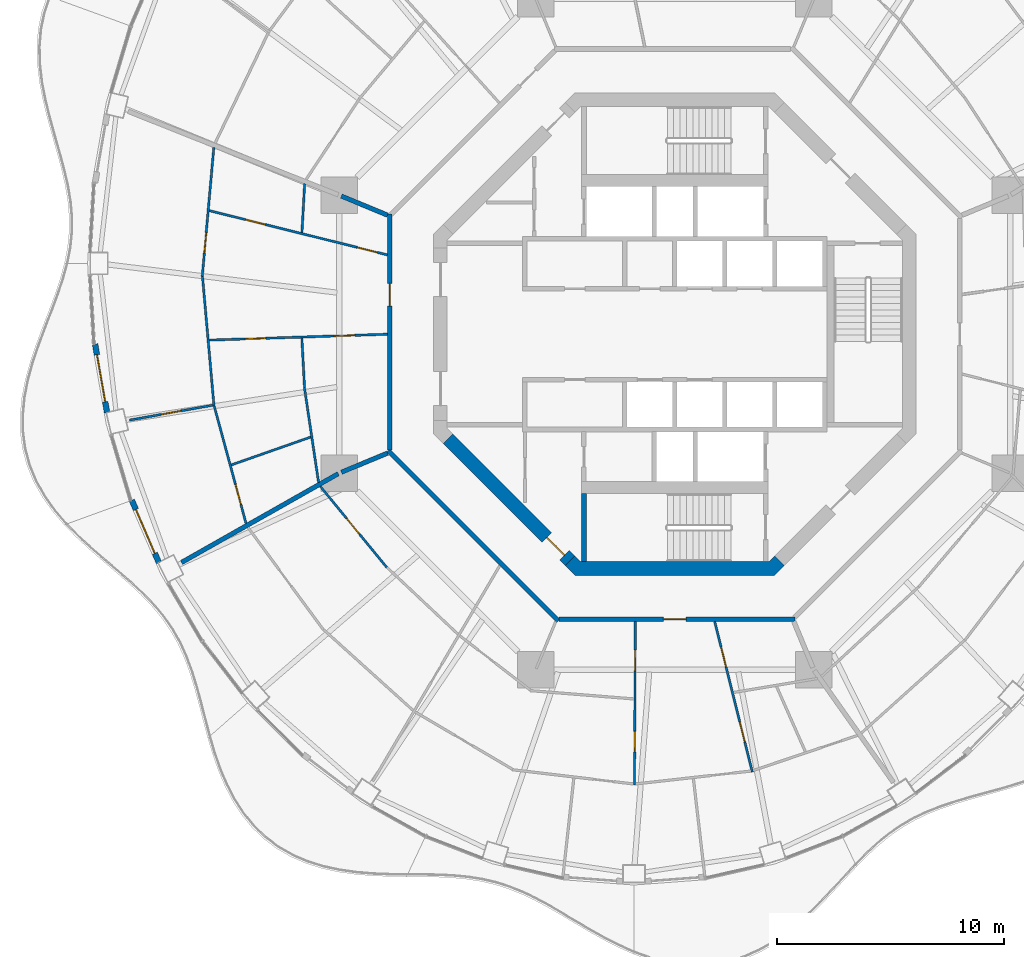
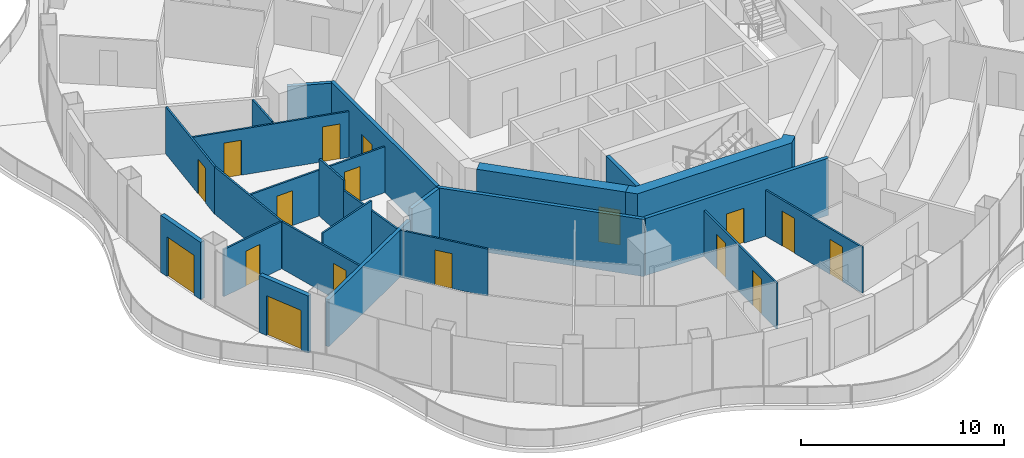
# One storey, part 10 of 18: 24 walls, 17 doors, 17 openings.
"""IFC4 building model written with IfcOpenShell, lengths in metres."""

from ifc_helpers import new_model, si_unit, direction, frame, frame_2d, origin, place, context, subcontext, project, spatial, polyline, rectangle, outline, extrude, material, layer, layer_set, type_object, element, fill, save


model = new_model("IFC4")

# Units and contexts
model_context = context("Model", 3, precision=1e-05, world=origin(), true_north=direction((0.0, 1.0)))
body_context = subcontext(model_context, "Body", "Model", "MODEL_VIEW")
ifc_project = project(units=[si_unit("LENGTHUNIT", "METRE"), si_unit("AREAUNIT", "SQUARE_METRE"), si_unit("VOLUMEUNIT", "CUBIC_METRE"), si_unit("PLANEANGLEUNIT", "RADIAN"), si_unit("MASSUNIT", "GRAM", prefix="KILO")], contexts=[model_context])

# Site, building, storey
site_placement = place(None, origin())
site = spatial("IfcSite", under=ifc_project, at=site_placement, CompositionType="ELEMENT")
building_placement = place(site_placement, origin())
building = spatial("IfcBuilding", under=site, at=building_placement, Name="Nagisa Residences", CompositionType="ELEMENT")
storey_placement = place(building_placement, frame((0.0, 0.0, 219.60009765625)))
storey = spatial("IfcBuildingStorey", under=building, at=storey_placement, Name="L55", CompositionType="ELEMENT", Elevation=219.60009765625)

# Walls
ifc_material_1 = material(Name="Gypsum board on steel studs", Category="steel")
ifc_layer_1 = layer(ifc_material_1, 0.199951171875)
ifc_layer_set_1 = layer_set([ifc_layer_1], Name="Apartment compartment wall EI60 200")
wall_type_1 = type_object("IfcWallType", Name="Apartment compartment wall EI60 200", PredefinedType="PARTITIONING", material=ifc_layer_set_1)
for number, where, z_axis, x_axis, name in (
    (1, (-12.6572265625, 5.24267578125, 0.0), (0.0, 0.0, 1.0), (-0.923859888513, 0.38273085373, 0.0), "wall:L55:u02"),
    (2, (-12.6572265625, -5.24267578125, 0.0), (0.0, 0.0, 1.0), (-0.923859888513, -0.38273085373, 0.0), "wall:L55:u04"),
):
    element("IfcWall", number, at=place(storey_placement, frame(where, z_axis=z_axis, x_axis=x_axis)), inside=storey, type_object=wall_type_1, Name=name, PredefinedType="PARTITIONING", context=body_context, shape_type="SweptSolid", body=[
        extrude(rectangle(XDim=2.199462890625, YDim=0.199951171875, at=frame_2d((1.099609375, 0.0))), origin(), (0.0, 0.0, 1.0), 3.43994140625),
    ])
wall_1_placement = place(storey_placement, frame((-14.825439453125, -6.147705078125, 0.0), z_axis=(0.0, 0.0, 1.0), x_axis=(-0.870099576105, -0.492875975944, 0.0)))
element("IfcWall", 3, at=wall_1_placement, inside=storey, type_object=wall_type_1, Name="wall:L55:u05", PredefinedType="PARTITIONING", context=body_context, shape_type="SweptSolid", body=[
    extrude(rectangle(XDim=7.937255859375, YDim=0.199951171875, at=frame_2d((3.96875, 0.0))), origin(), (0.0, 0.0, 1.0), 2.8369140625),
])

# Wall, opening, door
ifc_material_2 = material(Name="Gypsum board on steel studs", Category="steel")
ifc_layer_2 = layer(ifc_material_2, 0.199951171875)
ifc_layer_set_2 = layer_set([ifc_layer_2], Name="Apartment entry wall EI60 200")
wall_type_2 = type_object("IfcWallType", Name="Apartment entry wall EI60 200", PredefinedType="PARTITIONING", material=ifc_layer_set_2)
wall_2_placement = place(storey_placement, frame((-12.564697265625, 5.304443359375, 0.0), z_axis=(0.0, 0.0, 1.0), x_axis=(0.0, -1.0, 0.0)))
wall_2 = element("IfcWall", 4, at=wall_2_placement, inside=storey, type_object=wall_type_2, Name="wall:L55:u12", PredefinedType="PARTITIONING", context=body_context, shape_type="SweptSolid", body=[
    extrude(rectangle(XDim=10.408935546875, YDim=0.199951171875, at=frame_2d((5.20458984375, 0.0))), origin(), (0.0, 0.0, 1.0), 3.43994140625),
])
opening_1_placement = place(wall_2_placement, frame((3.069580078125, 0.0, 0.0)))
opening_1 = element("IfcOpeningElement", 5, at=opening_1_placement, cuts=wall_2, Name="Opening L55-U20", PredefinedType="OPENING", context=body_context, shape_type="SweptSolid", body=[
    extrude(rectangle(XDim=1.0, YDim=2.10009765625, at=frame_2d((0.5, 1.050048828125))), frame((0.0, 0.10986328125, 0.0), z_axis=(0.0, -1.0, 0.0), x_axis=(1.0, 0.0, 0.0)), (0.0, 0.0, 1.0), 0.219970703125),
])
ifc_material_3 = material(Name="Timber fire door set", Category="wood")
door_type_1 = type_object("IfcDoorType", Name="Apartment entry door FD30S 1000x2100", OperationType="NOTDEFINED", PredefinedType="DOOR", material=ifc_material_3)
door_1_placement = place(opening_1_placement, frame((1.0, 0.0, 0.0), x_axis=(-1.0, 0.0, 0.0)))
door_1 = element("IfcDoor", 6, at=door_1_placement, inside=storey, type_object=door_type_1, Name="Entry door, Apartment 55B", OperationType="SINGLE_SWING_LEFT", OverallHeight=2.10009765625, OverallWidth=1.0, PredefinedType="DOOR", context=body_context, shape_type="SweptSolid", body=[
    extrude(rectangle(XDim=1.0, YDim=2.10009765625, at=frame_2d((0.5, 1.050048828125))), frame((0.0, 0.02490234375, 0.0), z_axis=(0.0, -1.0, 0.0), x_axis=(1.0, 0.0, 0.0)), (0.0, 0.0, 1.0), 0.050048828125),
])
fill(opening_1, door_1)

# Wall
wall_3_placement = place(storey_placement, frame((-12.635498046875, -5.1337890625, 0.0), z_axis=(0.0, 0.0, 1.0), x_axis=(0.707106781187, -0.707106781187, 0.0)))
element("IfcWall", 7, at=wall_3_placement, inside=storey, type_object=wall_type_2, Name="wall:L55:u13", PredefinedType="PARTITIONING", context=body_context, shape_type="SweptSolid", body=[
    extrude(rectangle(XDim=10.609130859375, YDim=0.199951171875, at=frame_2d((5.3046875, 0.0))), origin(), (0.0, 0.0, 1.0), 3.43994140625),
])

# Wall, opening, door
wall_4_placement = place(storey_placement, frame((-5.1044921875, -12.564697265625, 0.0), z_axis=(0.0, 0.0, 1.0), x_axis=(1.0, 0.0, 0.0)))
wall_4 = element("IfcWall", 8, at=wall_4_placement, inside=storey, type_object=wall_type_2, Name="wall:L55:u14", PredefinedType="PARTITIONING", context=body_context, shape_type="SweptSolid", body=[
    extrude(rectangle(XDim=10.408935546875, YDim=0.199951171875, at=frame_2d((5.20458984375, 0.0))), origin(), (0.0, 0.0, 1.0), 3.43994140625),
])
opening_2_placement = place(wall_4_placement, frame((4.6044921875, 0.0, 0.0)))
opening_2 = element("IfcOpeningElement", 9, at=opening_2_placement, cuts=wall_4, Name="Opening L55-U28", PredefinedType="OPENING", context=body_context, shape_type="SweptSolid", body=[
    extrude(rectangle(XDim=1.0, YDim=2.10009765625, at=frame_2d((0.5, 1.050048828125))), frame((0.0, 0.10986328125, 0.0), z_axis=(0.0, -1.0, 0.0), x_axis=(1.0, 0.0, 0.0)), (0.0, 0.0, 1.0), 0.219970703125),
])
door_2_placement = place(opening_2_placement, frame((1.0, 0.0, 0.0), x_axis=(-1.0, 0.0, 0.0)))
door_2 = element("IfcDoor", 10, at=door_2_placement, inside=storey, type_object=door_type_1, Name="Entry door, Apartment 55C", OperationType="SINGLE_SWING_LEFT", OverallHeight=2.10009765625, OverallWidth=1.0, PredefinedType="DOOR", context=body_context, shape_type="SweptSolid", body=[
    extrude(rectangle(XDim=1.0, YDim=2.10009765625, at=frame_2d((0.5, 1.050048828125))), frame((0.0, 0.02490234375, 0.0), z_axis=(0.0, -1.0, 0.0), x_axis=(1.0, 0.0, 0.0)), (0.0, 0.0, 1.0), 0.050048828125),
])
fill(opening_2, door_2)

# Wall
ifc_material_4 = material(Name="Gypsum board on steel studs", Category="steel")
ifc_layer_3 = layer(ifc_material_4, 0.10009765625)
ifc_layer_set_3 = layer_set([ifc_layer_3], Name="Apartment partition 100")
wall_type_3 = type_object("IfcWallType", Name="Apartment partition 100", PredefinedType="PARTITIONING", material=ifc_layer_set_3)
wall_5_placement = place(storey_placement, frame((-16.306884765625, 6.62744140625, 0.0), z_axis=(0.0, 0.0, 1.0), x_axis=(-0.055608865939, -0.998452629837, 0.0)))
element("IfcWall", 11, at=wall_5_placement, inside=storey, type_object=wall_type_3, Name="wall:L55:u54", PredefinedType="PARTITIONING", context=body_context, shape_type="SweptSolid", body=[
    extrude(rectangle(XDim=2.142578125, YDim=0.10009765625, at=frame_2d((1.0712890625, 0.0))), origin(), (0.0, 0.0, 1.0), 2.8369140625),
])

# Wall, opening, door
wall_6_placement = place(storey_placement, frame((-20.3095703125, 8.21826171875, 0.0), z_axis=(0.0, 0.0, 1.0), x_axis=(-0.089284106956, -0.996006198899, 0.0)))
wall_6 = element("IfcWall", 12, at=wall_6_placement, inside=storey, type_object=wall_type_3, Name="wall:L55:u55", PredefinedType="PARTITIONING", context=body_context, shape_type="SweptSolid", body=[
    extrude(rectangle(XDim=5.698486328125, YDim=0.10009765625, at=frame_2d((2.84912109375, 0.0))), origin(), (0.0, 0.0, 1.0), 2.8369140625),
])
opening_3_placement = place(wall_6_placement, frame((3.761474609375, 0.0, 0.0)))
opening_3 = element("IfcOpeningElement", 13, at=opening_3_placement, cuts=wall_6, Name="Opening L55-U25", PredefinedType="OPENING", context=body_context, shape_type="SweptSolid", body=[
    extrude(rectangle(XDim=0.89990234375, YDim=2.10009765625, at=frame_2d((0.449951171875, 1.050048828125))), frame((0.0, 0.06005859375, 0.0), z_axis=(0.0, -1.0, 0.0), x_axis=(1.0, 0.0, 0.0)), (0.0, 0.0, 1.0), 0.1201171875),
])
ifc_material_5 = material(Name="Timber door set", Category="wood")
door_type_2 = type_object("IfcDoorType", Name="Apartment door 900x2100", OperationType="NOTDEFINED", PredefinedType="DOOR", material=ifc_material_5)
door_3_placement = place(opening_3_placement, frame((0.89990234375, 0.0, 0.0), x_axis=(-1.0, 0.0, 0.0)))
door_3 = element("IfcDoor", 14, at=door_3_placement, inside=storey, type_object=door_type_2, Name="Door to living room, Apartment 55B", OperationType="SINGLE_SWING_RIGHT", OverallHeight=2.10009765625, OverallWidth=0.89990234375, PredefinedType="DOOR", context=body_context, shape_type="SweptSolid", body=[
    extrude(rectangle(XDim=0.89990234375, YDim=2.10009765625, at=frame_2d((0.449951171875, 1.050048828125))), frame((0.0, 0.02490234375, 0.0), z_axis=(0.0, -1.0, 0.0), x_axis=(1.0, 0.0, 0.0)), (0.0, 0.0, 1.0), 0.050048828125),
])
fill(opening_3, door_3)

# Wall, openings, doors
wall_7_placement = place(storey_placement, frame((-12.661865234375, 3.49365234375, 0.0), z_axis=(0.0, 0.0, 1.0), x_axis=(-0.970505526029, 0.241078874951, 0.0)))
wall_7 = element("IfcWall", 15, at=wall_7_placement, inside=storey, type_object=wall_type_3, Name="wall:L55:u56", PredefinedType="PARTITIONING", context=body_context, shape_type="SweptSolid", body=[
    extrude(rectangle(XDim=8.08544921875, YDim=0.10009765625, at=frame_2d((4.042724609375, 0.0))), origin(), (0.0, 0.0, 1.0), 2.761962890625),
])
opening_4_placement = place(wall_7_placement, frame((0.464111328125, 0.0, 0.0)))
opening_4 = element("IfcOpeningElement", 16, at=opening_4_placement, cuts=wall_7, Name="Opening L55-U21", PredefinedType="OPENING", context=body_context, shape_type="SweptSolid", body=[
    extrude(rectangle(XDim=0.89990234375, YDim=2.10009765625, at=frame_2d((0.449951171875, 1.050048828125))), frame((0.0, 0.06005859375, 0.0), z_axis=(0.0, -1.0, 0.0), x_axis=(1.0, 0.0, 0.0)), (0.0, 0.0, 1.0), 0.1201171875),
])
opening_5_placement = place(wall_7_placement, frame((5.53466796875, 0.0, 0.0)))
opening_5 = element("IfcOpeningElement", 17, at=opening_5_placement, cuts=wall_7, Name="Opening L55-U23", PredefinedType="OPENING", context=body_context, shape_type="SweptSolid", body=[
    extrude(rectangle(XDim=0.89990234375, YDim=2.10009765625, at=frame_2d((0.449951171875, 1.050048828125))), frame((0.0, 0.06005859375, 0.0), z_axis=(0.0, -1.0, 0.0), x_axis=(1.0, 0.0, 0.0)), (0.0, 0.0, 1.0), 0.1201171875),
])
door_4_placement = place(opening_4_placement, frame((0.89990234375, 0.0, 0.0), x_axis=(-1.0, 0.0, 0.0)))
door_4 = element("IfcDoor", 18, at=door_4_placement, inside=storey, type_object=door_type_2, Name="Door to family bathroom, Apartment 55B", OperationType="SINGLE_SWING_RIGHT", OverallHeight=2.10009765625, OverallWidth=0.89990234375, PredefinedType="DOOR", context=body_context, shape_type="SweptSolid", body=[
    extrude(rectangle(XDim=0.89990234375, YDim=2.10009765625, at=frame_2d((0.449951171875, 1.050048828125))), frame((0.0, 0.02490234375, 0.0), z_axis=(0.0, -1.0, 0.0), x_axis=(1.0, 0.0, 0.0)), (0.0, 0.0, 1.0), 0.050048828125),
])
fill(opening_4, door_4)
door_5_placement = place(opening_5_placement, frame((0.89990234375, 0.0, 0.0), x_axis=(-1.0, 0.0, 0.0)))
door_5 = element("IfcDoor", 19, at=door_5_placement, inside=storey, type_object=door_type_2, Name="Door to family bathroom, Apartment 55B", OperationType="SINGLE_SWING_RIGHT", OverallHeight=2.10009765625, OverallWidth=0.89990234375, PredefinedType="DOOR", context=body_context, shape_type="SweptSolid", body=[
    extrude(rectangle(XDim=0.89990234375, YDim=2.10009765625, at=frame_2d((0.449951171875, 1.050048828125))), frame((0.0, 0.02490234375, 0.0), z_axis=(0.0, -1.0, 0.0), x_axis=(1.0, 0.0, 0.0)), (0.0, 0.0, 1.0), 0.050048828125),
])
fill(opening_5, door_5)

# Wall
wall_8_placement = place(storey_placement, frame((-20.8095703125, 2.54248046875, 0.0), z_axis=(0.0, 0.0, 1.0), x_axis=(0.088651453697, -0.996062708748, 0.0)))
element("IfcWall", 20, at=wall_8_placement, inside=storey, type_object=wall_type_3, Name="wall:L55:u57", PredefinedType="PARTITIONING", context=body_context, shape_type="SweptSolid", body=[
    extrude(rectangle(XDim=5.736572265625, YDim=0.10009765625, at=frame_2d((2.8681640625, 0.0))), origin(), (0.0, 0.0, 1.0), 2.8369140625),
])

# Wall, openings, doors
wall_9_placement = place(storey_placement, frame((-12.664794921875, -0.00341796875, 0.0), z_axis=(0.0, 0.0, 1.0), x_axis=(-0.999453263957, -0.033063169315, 0.0)))
wall_9 = element("IfcWall", 21, at=wall_9_placement, inside=storey, type_object=wall_type_3, Name="wall:L55:u58", PredefinedType="PARTITIONING", context=body_context, shape_type="SweptSolid", body=[
    extrude(rectangle(XDim=7.849365234375, YDim=0.10009765625, at=frame_2d((3.9248046875, 0.0))), origin(), (0.0, 0.0, 1.0), 2.761962890625),
])
opening_6_placement = place(wall_9_placement, frame((1.435302734375, 0.0, 0.0)))
opening_6 = element("IfcOpeningElement", 22, at=opening_6_placement, cuts=wall_9, Name="Opening L55-U22", PredefinedType="OPENING", context=body_context, shape_type="SweptSolid", body=[
    extrude(rectangle(XDim=0.89990234375, YDim=2.10009765625, at=frame_2d((0.449951171875, 1.050048828125))), frame((0.0, 0.06005859375, 0.0), z_axis=(0.0, -1.0, 0.0), x_axis=(1.0, 0.0, 0.0)), (0.0, 0.0, 1.0), 0.1201171875),
])
opening_7_placement = place(wall_9_placement, frame((5.360107421875, 0.0, 0.0)))
opening_7 = element("IfcOpeningElement", 23, at=opening_7_placement, cuts=wall_9, Name="Opening L55-U24", PredefinedType="OPENING", context=body_context, shape_type="SweptSolid", body=[
    extrude(rectangle(XDim=0.89990234375, YDim=2.10009765625, at=frame_2d((0.449951171875, 1.050048828125))), frame((0.0, 0.06005859375, 0.0), z_axis=(0.0, -1.0, 0.0), x_axis=(1.0, 0.0, 0.0)), (0.0, 0.0, 1.0), 0.1201171875),
])
door_6_placement = place(opening_6_placement, origin())
door_6 = element("IfcDoor", 24, at=door_6_placement, inside=storey, type_object=door_type_2, Name="Door to laundry, Apartment 55B", OperationType="SINGLE_SWING_RIGHT", OverallHeight=2.10009765625, OverallWidth=0.89990234375, PredefinedType="DOOR", context=body_context, shape_type="SweptSolid", body=[
    extrude(rectangle(XDim=0.89990234375, YDim=2.10009765625, at=frame_2d((0.449951171875, 1.050048828125))), frame((0.0, 0.02490234375, 0.0), z_axis=(0.0, -1.0, 0.0), x_axis=(1.0, 0.0, 0.0)), (0.0, 0.0, 1.0), 0.050048828125),
])
fill(opening_6, door_6)
door_7_placement = place(opening_7_placement, origin())
door_7 = element("IfcDoor", 25, at=door_7_placement, inside=storey, type_object=door_type_2, Name="Door to kitchen, Apartment 55B", OperationType="SINGLE_SWING_RIGHT", OverallHeight=2.10009765625, OverallWidth=0.89990234375, PredefinedType="DOOR", context=body_context, shape_type="SweptSolid", body=[
    extrude(rectangle(XDim=0.89990234375, YDim=2.10009765625, at=frame_2d((0.449951171875, 1.050048828125))), frame((0.0, 0.02490234375, 0.0), z_axis=(0.0, -1.0, 0.0), x_axis=(1.0, 0.0, 0.0)), (0.0, 0.0, 1.0), 0.050048828125),
])
fill(opening_7, door_7)

# Walls
wall_10_placement = place(storey_placement, frame((-16.4306640625, -0.177978515625, 0.0), z_axis=(0.0, 0.0, 1.0), x_axis=(0.053951127036, -0.998543577362, 0.0)))
element("IfcWall", 26, at=wall_10_placement, inside=storey, type_object=wall_type_3, Name="wall:L55:u59", PredefinedType="PARTITIONING", context=body_context, shape_type="SweptSolid", body=[
    extrude(rectangle(XDim=2.18115234375, YDim=0.10009765625, at=frame_2d((1.090576171875, 0.0))), origin(), (0.0, 0.0, 1.0), 3.43994140625),
])
wall_11_placement = place(storey_placement, frame((-16.317626953125, -2.3564453125, 0.0), z_axis=(0.0, 0.0, 1.0), x_axis=(0.147684413341, -0.989034536331, 0.0)))
element("IfcWall", 27, at=wall_11_placement, inside=storey, type_object=wall_type_3, Name="wall:L55:u60", PredefinedType="PARTITIONING", context=body_context, shape_type="SweptSolid", body=[
    extrude(rectangle(XDim=4.22216796875, YDim=0.10009765625, at=frame_2d((2.111083984375, 0.0))), origin(), (0.0, 0.0, 1.0), 2.8369140625),
])

# Wall, opening, door
wall_12_placement = place(storey_placement, frame((-20.354736328125, -3.13037109375, 0.0), z_axis=(0.0, 0.0, 1.0), x_axis=(-0.984331377639, -0.1763284974, 0.0)))
wall_12 = element("IfcWall", 28, at=wall_12_placement, inside=storey, type_object=wall_type_3, Name="wall:L55:u61", PredefinedType="PARTITIONING", context=body_context, shape_type="SweptSolid", body=[
    extrude(rectangle(XDim=3.72314453125, YDim=0.10009765625, at=frame_2d((1.861572265625, 0.0))), origin(), (0.0, 0.0, 1.0), 2.8369140625),
])
opening_8_placement = place(wall_12_placement, frame((1.41162109375, 0.0, 0.0)))
opening_8 = element("IfcOpeningElement", 29, at=opening_8_placement, cuts=wall_12, Name="Opening L55-U26", PredefinedType="OPENING", context=body_context, shape_type="SweptSolid", body=[
    extrude(rectangle(XDim=0.89990234375, YDim=2.10009765625, at=frame_2d((0.449951171875, 1.050048828125))), frame((0.0, 0.06005859375, 0.0), z_axis=(0.0, -1.0, 0.0), x_axis=(1.0, 0.0, 0.0)), (0.0, 0.0, 1.0), 0.1201171875),
])
door_8_placement = place(opening_8_placement, origin())
door_8 = element("IfcDoor", 30, at=door_8_placement, inside=storey, type_object=door_type_2, Name="Door to bedroom, Apartment 55B", OperationType="SINGLE_SWING_RIGHT", OverallHeight=2.10009765625, OverallWidth=0.89990234375, PredefinedType="DOOR", context=body_context, shape_type="SweptSolid", body=[
    extrude(rectangle(XDim=0.89990234375, YDim=2.10009765625, at=frame_2d((0.449951171875, 1.050048828125))), frame((0.0, 0.02490234375, 0.0), z_axis=(0.0, -1.0, 0.0), x_axis=(1.0, 0.0, 0.0)), (0.0, 0.0, 1.0), 0.050048828125),
])
fill(opening_8, door_8)

wall_13_placement = place(storey_placement, frame((-20.29248046875, -3.169677734375, 0.0), z_axis=(0.0, 0.0, 1.0), x_axis=(0.26187906236, -0.965100697698, 0.0)))
wall_13 = element("IfcWall", 31, at=wall_13_placement, inside=storey, type_object=wall_type_3, Name="wall:L55:u62", PredefinedType="PARTITIONING", context=body_context, shape_type="SweptSolid", body=[
    extrude(rectangle(XDim=5.35595703125, YDim=0.10009765625, at=frame_2d((2.677978515625, 0.0))), origin(), (0.0, 0.0, 1.0), 2.8369140625),
])
opening_9_placement = place(wall_13_placement, frame((3.579345703125, 0.0, 0.0)))
opening_9 = element("IfcOpeningElement", 32, at=opening_9_placement, cuts=wall_13, Name="Opening L55-U27", PredefinedType="OPENING", context=body_context, shape_type="SweptSolid", body=[
    extrude(rectangle(XDim=0.89990234375, YDim=2.10009765625, at=frame_2d((0.449951171875, 1.050048828125))), frame((0.0, 0.06005859375, 0.0), z_axis=(0.0, -1.0, 0.0), x_axis=(1.0, 0.0, 0.0)), (0.0, 0.0, 1.0), 0.1201171875),
])
door_9_placement = place(opening_9_placement, origin())
door_9 = element("IfcDoor", 33, at=door_9_placement, inside=storey, type_object=door_type_2, Name="Door to en-suite bathroom, Apartment 55B", OperationType="SINGLE_SWING_LEFT", OverallHeight=2.10009765625, OverallWidth=0.89990234375, PredefinedType="DOOR", context=body_context, shape_type="SweptSolid", body=[
    extrude(rectangle(XDim=0.89990234375, YDim=2.10009765625, at=frame_2d((0.449951171875, 1.050048828125))), frame((0.0, 0.02490234375, 0.0), z_axis=(0.0, -1.0, 0.0), x_axis=(1.0, 0.0, 0.0)), (0.0, 0.0, 1.0), 0.050048828125),
])
fill(opening_9, door_9)

# Wall
wall_14_placement = place(storey_placement, frame((-16.0419921875, -4.53515625, 0.0), z_axis=(0.0, 0.0, 1.0), x_axis=(-0.94358986717, -0.331116539265, 0.0)))
element("IfcWall", 34, at=wall_14_placement, inside=storey, type_object=wall_type_3, Name="wall:L55:u63", PredefinedType="PARTITIONING", context=body_context, shape_type="SweptSolid", body=[
    extrude(rectangle(XDim=3.704345703125, YDim=0.10009765625, at=frame_2d((1.85205078125, 0.0))), origin(), (0.0, 0.0, 1.0), 3.43994140625),
])

# Wall, opening, door
wall_15_placement = place(storey_placement, frame((-15.615966796875, -6.70849609375, 0.0), z_axis=(0.0, 0.0, 1.0), x_axis=(0.634076422357, -0.773270386483, 0.0)))
wall_15 = element("IfcWall", 35, at=wall_15_placement, inside=storey, type_object=wall_type_3, Name="wall:L55:u64", PredefinedType="PARTITIONING", context=body_context, shape_type="SweptSolid", body=[
    extrude(rectangle(XDim=4.611083984375, YDim=0.10009765625, at=frame_2d((2.3056640625, 0.0))), origin(), (0.0, 0.0, 1.0), 2.8369140625),
])
opening_10_placement = place(wall_15_placement, frame((1.83056640625, 0.0, 0.0)))
opening_10 = element("IfcOpeningElement", 36, at=opening_10_placement, cuts=wall_15, Name="Opening L55-U40", PredefinedType="OPENING", context=body_context, shape_type="SweptSolid", body=[
    extrude(rectangle(XDim=0.89990234375, YDim=2.10009765625, at=frame_2d((0.449951171875, 1.050048828125))), frame((0.0, 0.06005859375, 0.0), z_axis=(0.0, -1.0, 0.0), x_axis=(1.0, 0.0, 0.0)), (0.0, 0.0, 1.0), 0.1201171875),
])
door_10_placement = place(opening_10_placement, origin())
door_10 = element("IfcDoor", 37, at=door_10_placement, inside=storey, type_object=door_type_2, Name="Door to store, Apartment 55C", OperationType="SINGLE_SWING_RIGHT", OverallHeight=2.10009765625, OverallWidth=0.89990234375, PredefinedType="DOOR", context=body_context, shape_type="SweptSolid", body=[
    extrude(rectangle(XDim=0.89990234375, YDim=2.10009765625, at=frame_2d((0.449951171875, 1.050048828125))), frame((0.0, 0.02490234375, 0.0), z_axis=(0.0, -1.0, 0.0), x_axis=(1.0, 0.0, 0.0)), (0.0, 0.0, 1.0), 0.050048828125),
])
fill(opening_10, door_10)

# Wall, openings, doors
wall_16_placement = place(storey_placement, frame((-1.7353515625, -12.664794921875, 0.0), z_axis=(0.0, 0.0, 1.0), x_axis=(-0.005554152823, -0.999984575574, 0.0)))
wall_16 = element("IfcWall", 38, at=wall_16_placement, inside=storey, type_object=wall_type_3, Name="wall:L55:u75", PredefinedType="PARTITIONING", context=body_context, shape_type="SweptSolid", body=[
    extrude(rectangle(XDim=7.208740234375, YDim=0.10009765625, at=frame_2d((3.6044921875, 0.0))), origin(), (0.0, 0.0, 1.0), 2.761962890625),
])
opening_11_placement = place(wall_16_placement, frame((1.256103515625, 0.0, 0.0)))
opening_11 = element("IfcOpeningElement", 39, at=opening_11_placement, cuts=wall_16, Name="Opening L55-U29", PredefinedType="OPENING", context=body_context, shape_type="SweptSolid", body=[
    extrude(rectangle(XDim=0.89990234375, YDim=2.10009765625, at=frame_2d((0.449951171875, 1.050048828125))), frame((0.0, 0.06005859375, 0.0), z_axis=(0.0, -1.0, 0.0), x_axis=(1.0, 0.0, 0.0)), (0.0, 0.0, 1.0), 0.1201171875),
])
opening_12_placement = place(wall_16_placement, frame((4.835693359375, 0.0, 0.0)))
opening_12 = element("IfcOpeningElement", 40, at=opening_12_placement, cuts=wall_16, Name="Opening L55-U31", PredefinedType="OPENING", context=body_context, shape_type="SweptSolid", body=[
    extrude(rectangle(XDim=0.89990234375, YDim=2.10009765625, at=frame_2d((0.449951171875, 1.050048828125))), frame((0.0, 0.06005859375, 0.0), z_axis=(0.0, -1.0, 0.0), x_axis=(1.0, 0.0, 0.0)), (0.0, 0.0, 1.0), 0.1201171875),
])
door_11_placement = place(opening_11_placement, frame((0.89990234375, 0.0, 0.0), x_axis=(-1.0, 0.0, 0.0)))
door_11 = element("IfcDoor", 41, at=door_11_placement, inside=storey, type_object=door_type_2, Name="Door to store, Apartment 55C", OperationType="SINGLE_SWING_RIGHT", OverallHeight=2.10009765625, OverallWidth=0.89990234375, PredefinedType="DOOR", context=body_context, shape_type="SweptSolid", body=[
    extrude(rectangle(XDim=0.89990234375, YDim=2.10009765625, at=frame_2d((0.449951171875, 1.050048828125))), frame((0.0, 0.02490234375, 0.0), z_axis=(0.0, -1.0, 0.0), x_axis=(1.0, 0.0, 0.0)), (0.0, 0.0, 1.0), 0.050048828125),
])
fill(opening_11, door_11)
door_12_placement = place(opening_12_placement, frame((0.89990234375, 0.0, 0.0), x_axis=(-1.0, 0.0, 0.0)))
door_12 = element("IfcDoor", 42, at=door_12_placement, inside=storey, type_object=door_type_2, Name="Door to family room, Apartment 55C", OperationType="SINGLE_SWING_RIGHT", OverallHeight=2.10009765625, OverallWidth=0.89990234375, PredefinedType="DOOR", context=body_context, shape_type="SweptSolid", body=[
    extrude(rectangle(XDim=0.89990234375, YDim=2.10009765625, at=frame_2d((0.449951171875, 1.050048828125))), frame((0.0, 0.02490234375, 0.0), z_axis=(0.0, -1.0, 0.0), x_axis=(1.0, 0.0, 0.0)), (0.0, 0.0, 1.0), 0.050048828125),
])
fill(opening_12, door_12)

wall_17_placement = place(storey_placement, frame((1.759033203125, -12.661865234375, 0.0), z_axis=(0.0, 0.0, 1.0), x_axis=(0.242653275363, -0.970113079984, 0.0)))
wall_17 = element("IfcWall", 43, at=wall_17_placement, inside=storey, type_object=wall_type_3, Name="wall:L55:u78", PredefinedType="PARTITIONING", context=body_context, shape_type="SweptSolid", body=[
    extrude(rectangle(XDim=6.835693359375, YDim=0.10009765625, at=frame_2d((3.41796875, 0.0))), origin(), (0.0, 0.0, 1.0), 2.761962890625),
])
opening_13_placement = place(wall_17_placement, frame((1.166015625, 0.0, 0.0)))
opening_13 = element("IfcOpeningElement", 44, at=opening_13_placement, cuts=wall_17, Name="Opening L55-U30", PredefinedType="OPENING", context=body_context, shape_type="SweptSolid", body=[
    extrude(rectangle(XDim=0.89990234375, YDim=2.10009765625, at=frame_2d((0.449951171875, 1.050048828125))), frame((0.0, 0.06005859375, 0.0), z_axis=(0.0, -1.0, 0.0), x_axis=(1.0, 0.0, 0.0)), (0.0, 0.0, 1.0), 0.1201171875),
])
opening_14_placement = place(wall_17_placement, frame((4.558837890625, 0.0, 0.0)))
opening_14 = element("IfcOpeningElement", 45, at=opening_14_placement, cuts=wall_17, Name="Opening L55-U32", PredefinedType="OPENING", context=body_context, shape_type="SweptSolid", body=[
    extrude(rectangle(XDim=0.89990234375, YDim=2.10009765625, at=frame_2d((0.449951171875, 1.050048828125))), frame((0.0, 0.06005859375, 0.0), z_axis=(0.0, -1.0, 0.0), x_axis=(1.0, 0.0, 0.0)), (0.0, 0.0, 1.0), 0.1201171875),
])
door_13_placement = place(opening_13_placement, origin())
door_13 = element("IfcDoor", 46, at=door_13_placement, inside=storey, type_object=door_type_2, Name="Door to family bathroom, Apartment 55C", OperationType="SINGLE_SWING_RIGHT", OverallHeight=2.10009765625, OverallWidth=0.89990234375, PredefinedType="DOOR", context=body_context, shape_type="SweptSolid", body=[
    extrude(rectangle(XDim=0.89990234375, YDim=2.10009765625, at=frame_2d((0.449951171875, 1.050048828125))), frame((0.0, 0.02490234375, 0.0), z_axis=(0.0, -1.0, 0.0), x_axis=(1.0, 0.0, 0.0)), (0.0, 0.0, 1.0), 0.050048828125),
])
fill(opening_13, door_13)
door_14_placement = place(opening_14_placement, origin())
door_14 = element("IfcDoor", 47, at=door_14_placement, inside=storey, type_object=door_type_2, Name="Door to family bathroom, Apartment 55C", OperationType="SINGLE_SWING_RIGHT", OverallHeight=2.10009765625, OverallWidth=0.89990234375, PredefinedType="DOOR", context=body_context, shape_type="SweptSolid", body=[
    extrude(rectangle(XDim=0.89990234375, YDim=2.10009765625, at=frame_2d((0.449951171875, 1.050048828125))), frame((0.0, 0.02490234375, 0.0), z_axis=(0.0, -1.0, 0.0), x_axis=(1.0, 0.0, 0.0)), (0.0, 0.0, 1.0), 0.050048828125),
])
fill(opening_14, door_14)

# Wall, opening, door
ifc_material_6 = material(Name="Precast concrete C40/50", Category="concrete")
ifc_layer_4 = layer(ifc_material_6, 0.25)
ifc_layer_set_4 = layer_set([ifc_layer_4], Name="BALCONY DOOR WALL 250")
wall_type_4 = type_object("IfcWallType", Name="BALCONY DOOR WALL 250", PredefinedType="SOLIDWALL", material=ifc_layer_set_4)
wall_18_placement = place(storey_placement, frame((-25.0126953125, -3.457275390625, 0.0), z_axis=(0.0, 0.0, 1.0), x_axis=(-0.172241318156, 0.985054784426, 0.0)))
wall_18 = element("IfcWall", 48, at=wall_18_placement, inside=storey, type_object=wall_type_4, Name="wall:L55:bay25", PredefinedType="SOLIDWALL", context=body_context, shape_type="SweptSolid", body=[
    extrude(rectangle(XDim=3.0673828125, YDim=0.25, at=frame_2d((1.53369140625, 0.0))), origin(), (0.0, 0.0, 1.0), 3.43994140625),
])
opening_15_placement = place(wall_18_placement, frame((0.483642578125, 0.0, 0.0)))
opening_15 = element("IfcOpeningElement", 49, at=opening_15_placement, cuts=wall_18, Name="Opening BD-L55-09", PredefinedType="OPENING", context=body_context, shape_type="SweptSolid", body=[
    extrude(rectangle(XDim=2.10009765625, YDim=2.39990234375, at=frame_2d((1.050048828125, 1.199951171875))), frame((0.0, 0.135009765625, 0.0), z_axis=(0.0, -1.0, 0.0), x_axis=(1.0, 0.0, 0.0)), (0.0, 0.0, 1.0), 0.27001953125),
])
ifc_material_7 = material(Name="Aluminium and clear glass", Category="aluminium")
door_type_3 = type_object("IfcDoorType", Name="BALCONY SLIDING DOOR 2100x2400", OperationType="SLIDING_TO_LEFT", PredefinedType="DOOR", material=ifc_material_7)
door_15_placement = place(opening_15_placement, origin())
door_15 = element("IfcDoor", 50, at=door_15_placement, inside=storey, type_object=door_type_3, Name="door:L55:bay25", OperationType="SLIDING_TO_LEFT", OverallHeight=2.39990234375, OverallWidth=2.10009765625, PredefinedType="DOOR", context=body_context, shape_type="SweptSolid", body=[
    extrude(rectangle(XDim=2.10009765625, YDim=2.39990234375, at=frame_2d((1.050048828125, 1.199951171875))), frame((0.0, 0.02490234375, 0.0), z_axis=(0.0, -1.0, 0.0), x_axis=(1.0, 0.0, 0.0)), (0.0, 0.0, 1.0), 0.050048828125),
])
fill(opening_15, door_15)

wall_19_placement = place(storey_placement, frame((-22.729248046875, -10.06884765625, 0.0), z_axis=(0.0, 0.0, 1.0), x_axis=(-0.397655361949, 0.91753485662, 0.0)))
wall_19 = element("IfcWall", 51, at=wall_19_placement, inside=storey, type_object=wall_type_4, Name="wall:L55:bay27", PredefinedType="SOLIDWALL", context=body_context, shape_type="SweptSolid", body=[
    extrude(rectangle(XDim=3.002197265625, YDim=0.25, at=frame_2d((1.5009765625, 0.0))), origin(), (0.0, 0.0, 1.0), 3.43994140625),
])
opening_16_placement = place(wall_19_placement, frame((0.450927734375, 0.0, 0.0)))
opening_16 = element("IfcOpeningElement", 52, at=opening_16_placement, cuts=wall_19, Name="Opening BD-L55-10", PredefinedType="OPENING", context=body_context, shape_type="SweptSolid", body=[
    extrude(rectangle(XDim=2.10009765625, YDim=2.39990234375, at=frame_2d((1.050048828125, 1.199951171875))), frame((0.0, 0.135009765625, 0.0), z_axis=(0.0, -1.0, 0.0), x_axis=(1.0, 0.0, 0.0)), (0.0, 0.0, 1.0), 0.27001953125),
])
door_16_placement = place(opening_16_placement, origin())
door_16 = element("IfcDoor", 53, at=door_16_placement, inside=storey, type_object=door_type_3, Name="door:L55:bay27", OperationType="SLIDING_TO_LEFT", OverallHeight=2.39990234375, OverallWidth=2.10009765625, PredefinedType="DOOR", context=body_context, shape_type="SweptSolid", body=[
    extrude(rectangle(XDim=2.10009765625, YDim=2.39990234375, at=frame_2d((1.050048828125, 1.199951171875))), frame((0.0, 0.02490234375, 0.0), z_axis=(0.0, -1.0, 0.0), x_axis=(1.0, 0.0, 0.0)), (0.0, 0.0, 1.0), 0.050048828125),
])
fill(opening_16, door_16)

ifc_material_8 = material(Name="Concrete C60", Category="concrete")
ifc_layer_5 = layer(ifc_material_8, 0.60009765625)
ifc_layer_set_5 = layer_set([ifc_layer_5], Name="Core shear wall 600")
wall_type_5 = type_object("IfcWallType", Name="Core shear wall 600", PredefinedType="SHEAR", material=ifc_layer_set_5)
wall_20_placement = place(storey_placement, frame((-9.98828125, -4.613037109375, 0.0), z_axis=(0.0, 0.0, 1.0), x_axis=(0.707106781187, -0.707106781187, 0.0)))
wall_20 = element("IfcWall", 54, at=wall_20_placement, inside=storey, type_object=wall_type_5, Name="wall:L55:core:flat5", PredefinedType="SHEAR", context=body_context, shape_type="SweptSolid", body=[
    extrude(rectangle(XDim=7.601806640625, YDim=0.60009765625, at=frame_2d((3.80078125, 0.0))), origin(), (0.0, 0.0, 1.0), 3.43994140625),
])
opening_17_placement = place(wall_20_placement, frame((6.15087890625, 0.0, 0.0)))
opening_17 = element("IfcOpeningElement", 55, at=opening_17_placement, cuts=wall_20, Name="Opening L55-C23", PredefinedType="OPENING", context=body_context, shape_type="SweptSolid", body=[
    extrude(rectangle(XDim=1.10009765625, YDim=2.10009765625, at=frame_2d((0.550048828125, 1.050048828125))), frame((0.0, 0.31005859375, 0.0), z_axis=(0.0, -1.0, 0.0), x_axis=(1.0, 0.0, 0.0)), (0.0, 0.0, 1.0), 0.6201171875),
])
ifc_material_9 = material(Name="Steel fire door", Category="steel")
door_type_4 = type_object("IfcDoorType", Name="Fire door EI60 1100x2100 single swing", OperationType="NOTDEFINED", PredefinedType="DOOR", material=ifc_material_9)
door_17_placement = place(opening_17_placement, origin())
door_17 = element("IfcDoor", 56, at=door_17_placement, inside=storey, type_object=door_type_4, Name="Housekeeping lobby door L55", OperationType="SINGLE_SWING_RIGHT", OverallHeight=2.10009765625, OverallWidth=1.10009765625, PredefinedType="DOOR", context=body_context, shape_type="SweptSolid", body=[
    extrude(rectangle(XDim=1.10009765625, YDim=2.10009765625, at=frame_2d((0.550048828125, 1.050048828125))), frame((0.0, 0.02490234375, 0.0), z_axis=(0.0, -1.0, 0.0), x_axis=(1.0, 0.0, 0.0)), (0.0, 0.0, 1.0), 0.050048828125),
])
fill(opening_17, door_17)

# Walls
wall_21_placement = place(storey_placement, origin())
element("IfcWall", 57, at=wall_21_placement, inside=storey, type_object=wall_type_5, Name="wall:L55:core:flat6", PredefinedType="SHEAR", context=body_context, shape_type="SweptSolid", body=[
    extrude(outline(polyline([(-4.15234375, -10.024658203125), (4.15234375, -10.024658203125), (4.40087890625, -9.776123046875), (4.8251953125, -10.200439453125), (4.40087890625, -10.62451171875), (-4.40087890625, -10.62451171875), (-4.8251953125, -10.200439453125), (-4.40087890625, -9.776123046875), (-4.15234375, -10.024658203125)])), origin(), (0.0, 0.0, 1.0), 3.43994140625),
])
ifc_material_10 = material(Name="Concrete C60", Category="concrete")
ifc_layer_6 = layer(ifc_material_10, 0.199951171875)
ifc_layer_set_6 = layer_set([ifc_layer_6], Name="Stair enclosure wall 200")
wall_type_6 = type_object("IfcWallType", Name="Stair enclosure wall 200", PredefinedType="SOLIDWALL", material=ifc_layer_set_6)
wall_22_placement = place(storey_placement, origin())
element("IfcWall", 58, at=wall_22_placement, inside=storey, type_object=wall_type_6, Name="wall:L55:SS_w", PredefinedType="SOLIDWALL", context=body_context, shape_type="SweptSolid", body=[
    extrude(outline(polyline([(-3.89990234375, -10.024658203125), (-4.10009765625, -10.024658203125), (-4.10009765625, -7.024658203125), (-3.89990234375, -7.024658203125), (-3.89990234375, -10.024658203125)])), origin(), (0.0, 0.0, 1.0), 3.43994140625),
])

save(model, "model.ifc")
